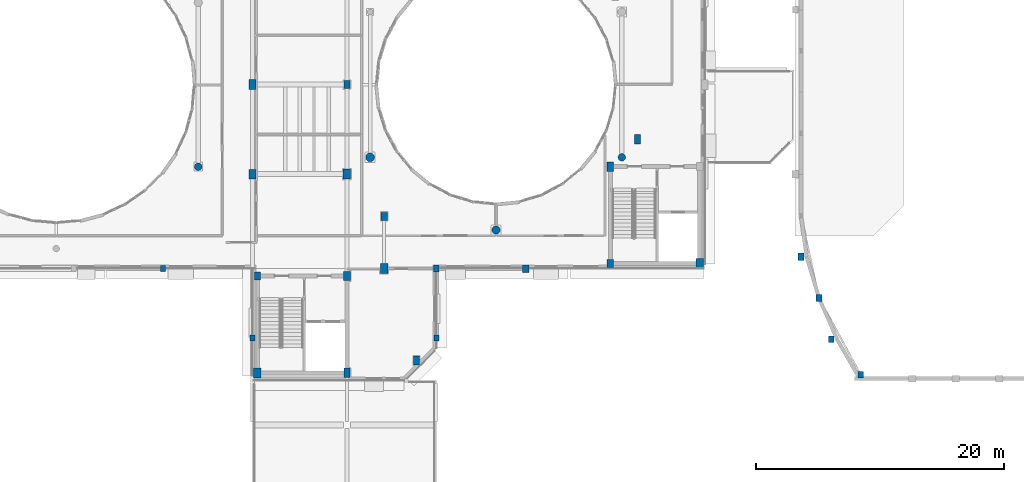
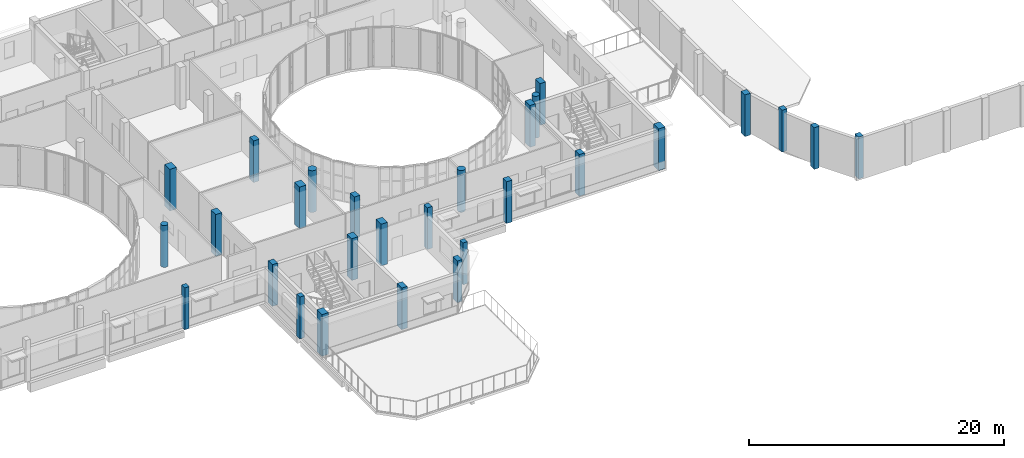
# One storey, part 7 of 89: 28 columns.
"""IFC4 building model written with IfcOpenShell, lengths in metres."""

from ifc_helpers import new_model, si_unit, direction, frame, origin, origin_2d, place, context, subcontext, project, spatial, rectangle, circle, extrude, material, material_profile, profile_set, type_object, element, save


model = new_model("IFC4")

# Units and contexts
model_context = context("Model", 3, precision=1e-05, world=origin(), true_north=direction((0.0, 1.0)))
body_context = subcontext(model_context, "Body", "Model", "MODEL_VIEW")
ifc_project = project(units=[si_unit("LENGTHUNIT", "METRE"), si_unit("AREAUNIT", "SQUARE_METRE"), si_unit("VOLUMEUNIT", "CUBIC_METRE"), si_unit("PLANEANGLEUNIT", "RADIAN"), si_unit("MASSUNIT", "GRAM", prefix="KILO")], contexts=[model_context])

# Site, building, storey
site_placement = place(None, origin())
site = spatial("IfcSite", under=ifc_project, at=site_placement, CompositionType="ELEMENT")
building_placement = place(site_placement, origin())
building = spatial("IfcBuilding", under=site, at=building_placement, Name="Kelanivale Promenade Academy", CompositionType="ELEMENT")
storey_placement = place(building_placement, frame((0.0, 0.0, 12.199951171875)))
storey = spatial("IfcBuildingStorey", under=building, at=storey_placement, Name="L03", CompositionType="ELEMENT", Elevation=12.199951171875)

# Columns
ifc_material = material(Name="Concrete C40/50", Category="concrete")
ifc_material_profile_1 = material_profile(ifc_material, rectangle(XDim=0.449951171875, YDim=0.699951171875, at=origin_2d()), Name="RC-COL 450x700")
ifc_profile_set_1 = profile_set([ifc_material_profile_1], Name="Concrete C40/50")
column_type_1 = type_object("IfcColumnType", Name="C-10 RC-COL 450x700", PredefinedType="COLUMN", material=ifc_profile_set_1)
column_1_placement = place(storey_placement, frame((92.39990234375, 34.60009765625, 0.0), z_axis=(0.0, 0.0, 1.0), x_axis=(1.0, 0.0, 0.0)))
element("IfcColumn", 1, at=column_1_placement, inside=storey, type_object=column_type_1, Name="Column C-10 at (92.4, 34.6) L03", PredefinedType="COLUMN", context=body_context, shape_type="SweptSolid", body=[
    extrude(rectangle(XDim=0.449951171875, YDim=0.699951171875, at=origin_2d()), origin(), (0.0, 0.0, 1.0), 4.0),
])
ifc_material_profile_2 = material_profile(ifc_material, rectangle(XDim=0.5, YDim=0.64990234375, at=origin_2d()), Name="RC-COL 500x650")
ifc_profile_set_2 = profile_set([ifc_material_profile_2], Name="Concrete C40/50")
column_type_2 = type_object("IfcColumnType", Name="C-11 RC-COL 500x650", PredefinedType="COLUMN", material=ifc_profile_set_2)
for number, where, z_axis, x_axis, name in (
    (2, (79.60009765625, 41.39990234375, 0.0), (0.0, 0.0, 1.0), (1.0, 0.0, 0.0), "Column C-11 at (79.6, 41.4) L03"),
    (3, (86.800048828125, 56.800048828125, 0.0), (0.0, 0.0, 1.0), (1.0, 0.0, 0.0), "Column C-11 at (86.8, 56.8) L03"),
    (4, (89.800048828125, 46.199951171875, 0.0), (0.0, 0.0, 1.0), (1.0, 0.0, 0.0), "Column C-11 at (89.8, 46.2) L03"),
    (5, (108.0, 42.39990234375, 0.0), (0.0, 0.0, 1.0), (1.0, 0.0, 0.0), "Column C-11 at (108.0, 42.4) L03"),
):
    element("IfcColumn", number, at=place(storey_placement, frame(where, z_axis=z_axis, x_axis=x_axis)), inside=storey, type_object=column_type_2, Name=name, PredefinedType="COLUMN", context=body_context, shape_type="SweptSolid", body=[
        extrude(rectangle(XDim=0.5, YDim=0.64990234375, at=origin_2d()), origin(), (0.0, 0.0, 1.0), 4.0),
    ])
ifc_material_profile_3 = material_profile(ifc_material, rectangle(XDim=0.5, YDim=0.75, at=origin_2d()), Name="RC-COL 500x750")
ifc_profile_set_3 = profile_set([ifc_material_profile_3], Name="Concrete C40/50")
column_type_3 = type_object("IfcColumnType", Name="C-12 RC-COL 500x750", PredefinedType="COLUMN", material=ifc_profile_set_3)
for number, where, z_axis, x_axis, name in (
    (6, (86.800048828125, 33.60009765625, 0.0), (0.0, 0.0, 1.0), (1.0, 0.0, 0.0), "Column C-12 at (86.8, 33.6) L03"),
    (7, (108.0, 50.199951171875, 0.0), (0.0, 0.0, 1.0), (1.0, 0.0, 0.0), "Column C-12 at (108.0, 50.2) L03"),
    (8, (110.199951171875, 52.39990234375, 0.0), (0.0, 0.0, 1.0), (1.0, 0.0, 0.0), "Column C-12 at (110.2, 52.4) L03"),
):
    element("IfcColumn", number, at=place(storey_placement, frame(where, z_axis=z_axis, x_axis=x_axis)), inside=storey, type_object=column_type_3, Name=name, PredefinedType="COLUMN", context=body_context, shape_type="SweptSolid", body=[
        extrude(rectangle(XDim=0.5, YDim=0.75, at=origin_2d()), origin(), (0.0, 0.0, 1.0), 4.0),
    ])
ifc_material_profile_4 = material_profile(ifc_material, rectangle(XDim=0.550048828125, YDim=0.75, at=origin_2d()), Name="RC-COL 550x750")
ifc_profile_set_4 = profile_set([ifc_material_profile_4], Name="Concrete C40/50")
column_type_4 = type_object("IfcColumnType", Name="C-13 RC-COL 550x750", PredefinedType="COLUMN", material=ifc_profile_set_4)
for number, where, z_axis, x_axis, name in (
    (9, (79.199951171875, 49.60009765625, 0.0), (0.0, 0.0, 1.0), (1.0, 0.0, 0.0), "Column C-13 at (79.2, 49.6) L03"),
    (10, (86.800048828125, 41.39990234375, 0.0), (0.0, 0.0, 1.0), (1.0, 0.0, 0.0), "Column C-13 at (86.8, 41.4) L03"),
):
    element("IfcColumn", number, at=place(storey_placement, frame(where, z_axis=z_axis, x_axis=x_axis)), inside=storey, type_object=column_type_4, Name=name, PredefinedType="COLUMN", context=body_context, shape_type="SweptSolid", body=[
        extrude(rectangle(XDim=0.550048828125, YDim=0.75, at=origin_2d()), origin(), (0.0, 0.0, 1.0), 4.0),
    ])
ifc_material_profile_5 = material_profile(ifc_material, rectangle(XDim=0.60009765625, YDim=0.800048828125, at=origin_2d()), Name="RC-COL 600x800")
ifc_profile_set_5 = profile_set([ifc_material_profile_5], Name="Concrete C40/50")
column_type_5 = type_object("IfcColumnType", Name="C-14 RC-COL 600x800", PredefinedType="COLUMN", material=ifc_profile_set_5)
for number, where, z_axis, x_axis, name in (
    (11, (79.199951171875, 56.800048828125, 0.0), (0.0, 0.0, 1.0), (1.0, 0.0, 0.0), "Column C-14 at (79.2, 56.8) L03"),
    (12, (79.60009765625, 33.60009765625, 0.0), (0.0, 0.0, 1.0), (1.0, 0.0, 0.0), "Column C-14 at (79.6, 33.6) L03"),
    (13, (86.800048828125, 49.60009765625, 0.0), (0.0, 0.0, 1.0), (1.0, 0.0, 0.0), "Column C-14 at (86.8, 49.6) L03"),
    (14, (89.800048828125, 42.0, 0.0), (0.0, 0.0, 1.0), (1.0, 0.0, 0.0), "Column C-14 at (89.8, 42.0) L03"),
    (15, (115.199951171875, 42.39990234375, 0.0), (0.0, 0.0, 1.0), (1.0, 0.0, 0.0), "Column C-14 at (115.2, 42.4) L03"),
):
    element("IfcColumn", number, at=place(storey_placement, frame(where, z_axis=z_axis, x_axis=x_axis)), inside=storey, type_object=column_type_5, Name=name, PredefinedType="COLUMN", context=body_context, shape_type="SweptSolid", body=[
        extrude(rectangle(XDim=0.60009765625, YDim=0.800048828125, at=origin_2d()), origin(), (0.0, 0.0, 1.0), 4.0),
    ])
ifc_material_profile_6 = material_profile(ifc_material, circle(Radius=0.300048828125, at=origin_2d()), Name="RC-COL D600")
ifc_profile_set_6 = profile_set([ifc_material_profile_6], Name="Concrete C40/50")
column_type_6 = type_object("IfcColumnType", Name="CC-22 RC-COL D600", PredefinedType="COLUMN", material=ifc_profile_set_6)
for number, where, z_axis, x_axis, name in (
    (16, (74.83203125, 50.199951171875, 0.0), (0.0, 0.0, 1.0), (1.0, 0.0, 0.0), "Column CC-22 at (74.8, 50.2) L03"),
    (17, (108.931884765625, 50.949951171875, 0.0), (0.0, 0.0, 1.0), (1.0, 0.0, 0.0), "Column CC-22 at (108.9, 51.0) L03"),
):
    element("IfcColumn", number, at=place(storey_placement, frame(where, z_axis=z_axis, x_axis=x_axis)), inside=storey, type_object=column_type_6, Name=name, PredefinedType="COLUMN", context=body_context, shape_type="SweptSolid", body=[
        extrude(circle(Radius=0.300048828125, at=origin_2d()), origin(), (0.0, 0.0, 1.0), 4.0),
    ])
ifc_material_profile_7 = material_profile(ifc_material, circle(Radius=0.324951171875, at=origin_2d()), Name="RC-COL D650")
ifc_profile_set_7 = profile_set([ifc_material_profile_7], Name="Concrete C40/50")
column_type_7 = type_object("IfcColumnType", Name="CC-23 RC-COL D650", PredefinedType="COLUMN", material=ifc_profile_set_7)
column_2_placement = place(storey_placement, frame((98.800048828125, 45.10009765625, 0.0), z_axis=(0.0, 0.0, 1.0), x_axis=(1.0, 0.0, 0.0)))
element("IfcColumn", 18, at=column_2_placement, inside=storey, type_object=column_type_7, Name="Column CC-23 at (98.8, 45.1) L03", PredefinedType="COLUMN", context=body_context, shape_type="SweptSolid", body=[
    extrude(circle(Radius=0.324951171875, at=origin_2d()), origin(), (0.0, 0.0, 1.0), 4.0),
])
ifc_material_profile_8 = material_profile(ifc_material, circle(Radius=0.35009765625, at=origin_2d()), Name="RC-COL D700")
ifc_profile_set_8 = profile_set([ifc_material_profile_8], Name="Concrete C40/50")
column_type_8 = type_object("IfcColumnType", Name="CC-24 RC-COL D700", PredefinedType="COLUMN", material=ifc_profile_set_8)
column_3_placement = place(storey_placement, frame((88.66796875, 50.949951171875, 0.0), z_axis=(0.0, 0.0, 1.0), x_axis=(1.0, 0.0, 0.0)))
element("IfcColumn", 19, at=column_3_placement, inside=storey, type_object=column_type_8, Name="Column CC-24 at (88.7, 51.0) L03", PredefinedType="COLUMN", context=body_context, shape_type="SweptSolid", body=[
    extrude(circle(Radius=0.35009765625, at=origin_2d()), origin(), (0.0, 0.0, 1.0), 4.0),
])
ifc_material_profile_9 = material_profile(ifc_material, rectangle(XDim=0.39990234375, YDim=0.5, at=origin_2d()), Name="RC-PIL 400x500")
ifc_profile_set_9 = profile_set([ifc_material_profile_9], Name="Concrete C40/50")
column_type_9 = type_object("IfcColumnType", Name="PL-16 RC-PIL 400x500", PredefinedType="PILASTER", material=ifc_profile_set_9)
for number, where, z_axis, x_axis, name in (
    (20, (72.0, 42.0, 0.0), (0.0, 0.0, 1.0), (1.0, 0.0, 0.0), "Column PL-16 at (72.0, 42.0) L03"),
    (21, (79.199951171875, 36.39990234375, 0.0), (0.0, 0.0, 1.0), (1.0, 0.0, 0.0), "Column PL-16 at (79.2, 36.4) L03"),
    (22, (94.0, 36.39990234375, 0.0), (0.0, 0.0, 1.0), (1.0, 0.0, 0.0), "Column PL-16 at (94.0, 36.4) L03"),
):
    element("IfcColumn", number, at=place(storey_placement, frame(where, z_axis=z_axis, x_axis=x_axis)), inside=storey, type_object=column_type_9, Name=name, PredefinedType="PILASTER", context=body_context, shape_type="SweptSolid", body=[
        extrude(rectangle(XDim=0.39990234375, YDim=0.5, at=origin_2d()), origin(), (0.0, 0.0, 1.0), 4.0),
    ])
ifc_material_profile_10 = material_profile(ifc_material, rectangle(XDim=0.449951171875, YDim=0.550048828125, at=origin_2d()), Name="RC-PIL 450x550")
ifc_profile_set_10 = profile_set([ifc_material_profile_10], Name="Concrete C40/50")
column_type_10 = type_object("IfcColumnType", Name="PL-17 RC-PIL 450x550", PredefinedType="PILASTER", material=ifc_profile_set_10)
for number, where, z_axis, x_axis, name in (
    (23, (94.0, 42.0, 0.0), (0.0, 0.0, 1.0), (1.0, 0.0, 0.0), "Column PL-17 at (94.0, 42.0) L03"),
    (24, (124.800048828125, 39.62890625, 0.0), (0.0, 0.0, 1.0), (1.0, 0.0, 0.0), "Column PL-17 at (124.8, 39.6) L03"),
    (25, (125.7900390625, 36.31396484375, 0.0), (0.0, 0.0, 1.0), (1.0, 0.0, 0.0), "Column PL-17 at (125.8, 36.3) L03"),
    (26, (128.14990234375, 33.449951171875, 0.0), (0.0, 0.0, 1.0), (1.0, 0.0, 0.0), "Column PL-17 at (128.2, 33.5) L03"),
):
    element("IfcColumn", number, at=place(storey_placement, frame(where, z_axis=z_axis, x_axis=x_axis)), inside=storey, type_object=column_type_10, Name=name, PredefinedType="PILASTER", context=body_context, shape_type="SweptSolid", body=[
        extrude(rectangle(XDim=0.449951171875, YDim=0.550048828125, at=origin_2d()), origin(), (0.0, 0.0, 1.0), 4.0),
    ])
ifc_material_profile_11 = material_profile(ifc_material, rectangle(XDim=0.5, YDim=0.60009765625, at=origin_2d()), Name="RC-PIL 500x600")
ifc_profile_set_11 = profile_set([ifc_material_profile_11], Name="Concrete C40/50")
column_type_11 = type_object("IfcColumnType", Name="PL-18 RC-PIL 500x600", PredefinedType="PILASTER", material=ifc_profile_set_11)
for number, where, z_axis, x_axis, name in (
    (27, (101.199951171875, 42.0, 0.0), (0.0, 0.0, 1.0), (1.0, 0.0, 0.0), "Column PL-18 at (101.2, 42.0) L03"),
    (28, (123.340087890625, 42.943115234375, 0.0), (0.0, 0.0, 1.0), (1.0, 0.0, 0.0), "Column PL-18 at (123.3, 42.9) L03"),
):
    element("IfcColumn", number, at=place(storey_placement, frame(where, z_axis=z_axis, x_axis=x_axis)), inside=storey, type_object=column_type_11, Name=name, PredefinedType="PILASTER", context=body_context, shape_type="SweptSolid", body=[
        extrude(rectangle(XDim=0.5, YDim=0.60009765625, at=origin_2d()), origin(), (0.0, 0.0, 1.0), 4.0),
    ])

save(model, "model.ifc")
